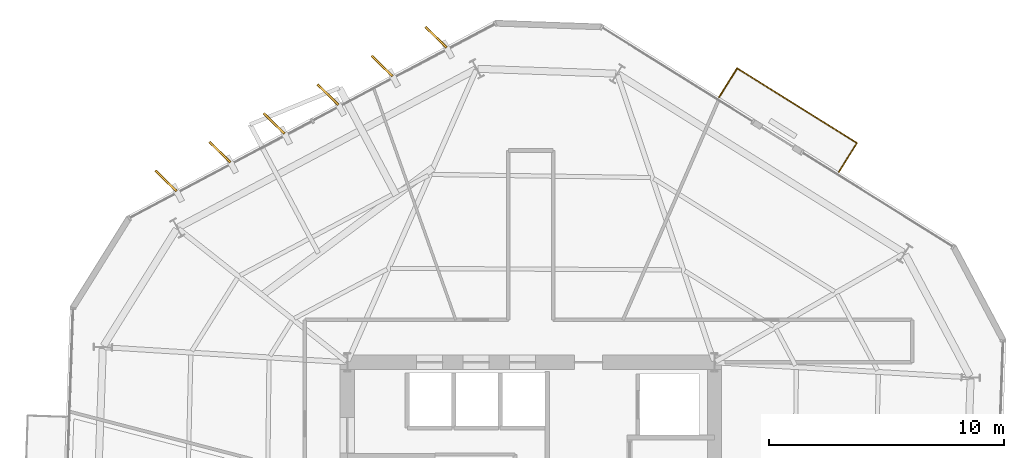
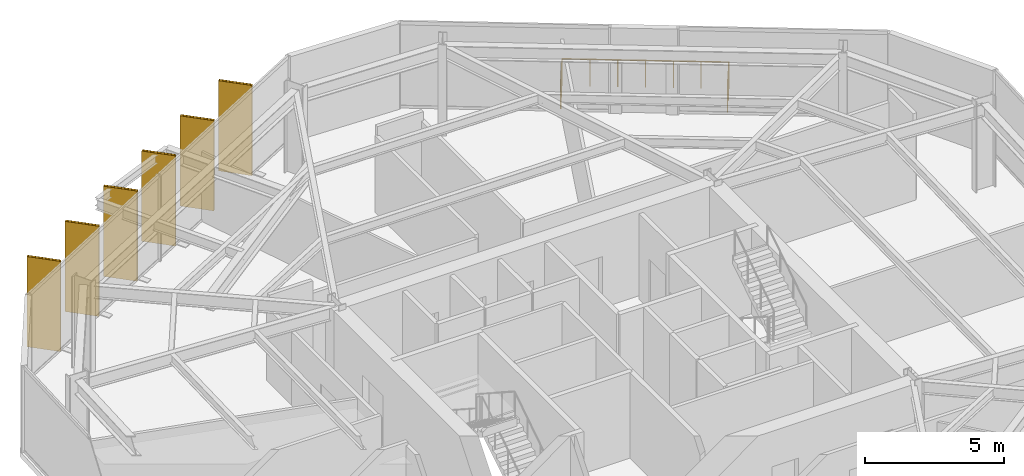
# One storey, part 12 of 12: 6 coverings, 6 shading devices, 1 railing.
"""IFC4 building model written with IfcOpenShell, lengths in metres."""

import ifcopenshell
import ifcopenshell.guid

model = None  # the IFC model being written
_history = None  # IfcOwnerHistory: only IFC2X3 demands one
_inside = {}  # id of a spatial element -> (the spatial element, [elements in it])
_under = {}  # id of a project, library or spatial element -> (it, [spatial elements below it])
_declared = {}  # id of a project -> (the project, [libraries it declares])
_typed = {}  # id of a type object -> (the type object, [elements of that type])
_made_of = {}  # id of a material, layer set ... -> (it, [elements and type objects made of it])


def new_model(schema):
    """Start an empty IFC model of exactly this schema.

    Asked for "IFC4X3", IfcOpenShell would pick the latest addendum, in which some entities
    have other attributes; the version numbers below select the first issue.
    IFC2X3 requires an IfcOwnerHistory on every rooted entity: one is made here for all.
    """
    global model, _history
    if schema == "IFC4X3":
        model = ifcopenshell.file(schema_version=(4, 3, 0, 0))
    else:
        model = ifcopenshell.file(schema=schema)
    _inside.clear()
    _under.clear()
    _declared.clear()
    _typed.clear()
    _made_of.clear()
    _history = None
    if model.schema == "IFC2X3":
        org = make("IfcOrganization", Name="unknown")
        user = make(
            "IfcPersonAndOrganization",
            ThePerson=make("IfcPerson", FamilyName="unknown"),
            TheOrganization=org,
        )
        app = make(
            "IfcApplication",
            ApplicationDeveloper=org,
            Version="unknown",
            ApplicationFullName="unknown",
            ApplicationIdentifier="unknown",
        )
        _history = make(
            "IfcOwnerHistory",
            OwningUser=user,
            OwningApplication=app,
            ChangeAction="ADDED",
            CreationDate=0,
        )
    return model


def make(cls, **values):
    """One entity of the class cls with the attributes given. An attribute that is None is left unset."""
    return model.create_entity(
        cls, **{name: value for name, value in values.items() if value is not None}
    )


def rooted(cls, **values):
    """An entity with a GlobalId (a new one), such as an element, a storey or a relation."""
    return make(cls, GlobalId=ifcopenshell.guid.new(), OwnerHistory=_history, **values)


def si_unit(unit_type, name, prefix=None):
    """IfcSIUnit, for example si_unit("LENGTHUNIT", "METRE", prefix="MILLI")."""
    return make("IfcSIUnit", UnitType=unit_type, Prefix=prefix, Name=name)


def assignment(units):
    """IfcUnitAssignment: the units of a project."""
    return None if units is None else make("IfcUnitAssignment", Units=units)


def point(xyz):
    """IfcCartesianPoint."""
    return None if xyz is None else make("IfcCartesianPoint", Coordinates=xyz)


def direction(xyz):
    """IfcDirection."""
    return None if xyz is None else make("IfcDirection", DirectionRatios=xyz)


def frame(location, z_axis=None, x_axis=None):
    """IfcAxis2Placement3D, a coordinate frame: its origin and axes. An axis left out is left unset."""
    return make(
        "IfcAxis2Placement3D",
        Location=point(location),
        Axis=direction(z_axis),
        RefDirection=direction(x_axis),
    )


def frame_2d(location, x_axis=None):
    """IfcAxis2Placement2D, a coordinate frame in the plane: its origin and x axis."""
    return make(
        "IfcAxis2Placement2D", Location=point(location), RefDirection=direction(x_axis)
    )


def origin():
    """The frame at (0, 0, 0) with its axes left unset."""
    return frame((0.0, 0.0, 0.0))


def origin_2d():
    """The frame at (0, 0) in the plane with its x axis left unset."""
    return frame_2d((0.0, 0.0))


def place(relative_to, where):
    """IfcLocalPlacement: puts the frame where relative to a parent placement (None: the world)."""
    return make(
        "IfcLocalPlacement", PlacementRelTo=relative_to, RelativePlacement=where
    )


def context(
    kind, dimensions, precision=None, world=None, true_north=None, identifier=None
):
    """IfcGeometricRepresentationContext, for example the 3D "Model" context."""
    return make(
        "IfcGeometricRepresentationContext",
        ContextIdentifier=identifier,
        ContextType=kind,
        CoordinateSpaceDimension=dimensions,
        Precision=precision,
        WorldCoordinateSystem=world,
        TrueNorth=true_north,
    )


def subcontext(parent, identifier, kind, view, scale=None):
    """IfcGeometricRepresentationSubContext, for example "Body" below "Model"."""
    return make(
        "IfcGeometricRepresentationSubContext",
        ContextIdentifier=identifier,
        ContextType=kind,
        ParentContext=parent,
        TargetScale=scale,
        TargetView=view,
    )


def project(units=None, contexts=None):
    """IfcProject with its units and contexts."""
    return rooted(
        "IfcProject",
        Name="project",
        RepresentationContexts=contexts,
        UnitsInContext=assignment(units),
    )


def spatial(cls, under=None, at=None, **own):
    """A site, building, storey or space (cls), placed at a placement, below another one or the project."""
    s = rooted(cls, ObjectPlacement=at, **own)
    if under is not None:
        _under.setdefault(under.id(), (under, []))[1].append(s)
    return s


def profile(cls, at=None, kind="AREA", **sizes):
    """A parametric profile (cls). Its sizes go by their IFC names, for example OverallWidth=200.0."""
    return make(cls, ProfileType=kind, Position=at, **sizes)


def rectangle(**sizes):
    """IfcRectangleProfileDef."""
    return profile("IfcRectangleProfileDef", **sizes)


def circle(**sizes):
    """IfcCircleProfileDef."""
    return profile("IfcCircleProfileDef", **sizes)


def extrude(swept, where, along, depth):
    """IfcExtrudedAreaSolid: the profile swept, set in the frame where, extruded along a direction by depth."""
    return make(
        "IfcExtrudedAreaSolid",
        SweptArea=swept,
        Position=where,
        ExtrudedDirection=direction(along),
        Depth=depth,
    )


def shape(context_of_items, identifier, shape_type, items):
    """IfcShapeRepresentation: the items that make up one representation, for example the "Body"."""
    return make(
        "IfcShapeRepresentation",
        ContextOfItems=context_of_items,
        RepresentationIdentifier=identifier,
        RepresentationType=shape_type,
        Items=items,
    )


def material(Name=None, Category=None):
    """IfcMaterial."""
    return make("IfcMaterial", Name=Name, Category=Category)


def layer(
    of_material, thickness, ventilated=None, Name=None, Category=None, Priority=None
):
    """IfcMaterialLayer: one layer of a wall or slab, of a material (None: an air gap)."""
    return make(
        "IfcMaterialLayer",
        Material=of_material,
        LayerThickness=thickness,
        IsVentilated=ventilated,
        Name=Name,
        Category=Category,
        Priority=Priority,
    )


def layer_set(layers, Name=None):
    """IfcMaterialLayerSet."""
    return make("IfcMaterialLayerSet", MaterialLayers=layers, LayerSetName=Name)


def made_of(thing, what):
    """Note that an element or type object is made of a material, layer set ...; save() writes the relation."""
    if what is not None:
        _made_of.setdefault(what.id(), (what, []))[1].append(thing)
    return thing


def type_object(cls, material=None, **own):
    """A type object (cls), such as IfcWallType, which elements share."""
    return made_of(rooted(cls, **own), material)


def element(
    cls,
    number,
    at=None,
    inside=None,
    cuts=None,
    type_object=None,
    material=None,
    context=None,
    identifier="Body",
    shape_type=None,
    held_by="IfcProductDefinitionShape",
    body=None,
    shapes=None,
    **own,
):
    """One element of the class cls, such as IfcWall. Its Tag is "e" and its number.

    at: its placement. inside: the storey or other place that contains it. cuts: it is an
    opening in that element (IfcRelVoidsElement). A single representation is given by context,
    identifier, shape_type and body (its items); several are given by shapes. held_by: the class
    of the entity that holds the representations. save() writes the other relations.
    """
    e = rooted(cls, Tag="e%d" % number, ObjectPlacement=at, **own)
    if body is not None:
        shapes = [shape(context, identifier, shape_type, body)]
    if shapes is not None:
        e.Representation = make(held_by, Representations=shapes)
    if inside is not None:
        _inside.setdefault(inside.id(), (inside, []))[1].append(e)
    if cuts is not None:
        rooted(
            "IfcRelVoidsElement", RelatingBuildingElement=cuts, RelatedOpeningElement=e
        )
    if type_object is not None:
        _typed.setdefault(type_object.id(), (type_object, []))[1].append(e)
    return made_of(e, material)


def aggregate(whole, parts):
    """IfcRelAggregates: a whole, such as a stair, and the parts it consists of."""
    return rooted("IfcRelAggregates", RelatingObject=whole, RelatedObjects=parts)


def save(model, path):
    """Write the relations noted so far, then the file.

    IfcRelAggregates (storeys below a building ...), IfcRelContainedInSpatialStructure (elements
    in a storey), IfcRelDefinesByType, IfcRelAssociatesMaterial and IfcRelDeclares: one each for
    every whole, place, type object, material and project.
    """
    for whole, parts in _under.values():
        aggregate(whole, parts)
    for where, things in _inside.values():
        rooted(
            "IfcRelContainedInSpatialStructure",
            RelatedElements=things,
            RelatingStructure=where,
        )
    for kind, things in _typed.values():
        rooted("IfcRelDefinesByType", RelatedObjects=things, RelatingType=kind)
    for what, things in _made_of.values():
        rooted("IfcRelAssociatesMaterial", RelatedObjects=things, RelatingMaterial=what)
    for by, libraries in _declared.values():
        rooted("IfcRelDeclares", RelatingContext=by, RelatedDefinitions=libraries)
    model.write(path)


model = new_model("IFC4")

# Units and contexts
model_context = context("Model", 3, precision=1e-05, world=origin(), true_north=direction((0.0, 1.0)))
body_context = subcontext(model_context, "Body", "Model", "MODEL_VIEW")
ifc_project = project(units=[si_unit("LENGTHUNIT", "METRE"), si_unit("AREAUNIT", "SQUARE_METRE"), si_unit("VOLUMEUNIT", "CUBIC_METRE"), si_unit("PLANEANGLEUNIT", "RADIAN"), si_unit("MASSUNIT", "GRAM", prefix="KILO")], contexts=[model_context])

# Site, building, storey
site_placement = place(None, origin())
site = spatial("IfcSite", under=ifc_project, at=site_placement, CompositionType="ELEMENT")
building_placement = place(site_placement, origin())
building = spatial("IfcBuilding", under=site, at=building_placement, Name="Kranzbogen Civic Tower", CompositionType="ELEMENT")
storey_placement = place(building_placement, frame((0.0, 0.0, 134.39990234375)))
storey = spatial("IfcBuildingStorey", under=building, at=storey_placement, Name="L32", CompositionType="ELEMENT", Elevation=134.39990234375)

# Coverings
ifc_material_1 = material(Name="Pale Anodised Aluminium", Category="aluminium")
ifc_layer = layer(ifc_material_1, 0.02490234375, Name="Pale Anodised Aluminium")
ifc_layer_set = layer_set([ifc_layer], Name="Pale Anodised Aluminium")
covering_type = type_object("IfcCoveringType", Name="Anodised Aluminium Vertical Fin Cladding 25 mm", PredefinedType="CLADDING", material=ifc_layer_set)
for number, where, z_axis, x_axis, name in (
    (1, (20.971923828125, 46.013916015625, -0.139892578125), (0.0, 0.0, 1.0), (-0.716338478666, 0.697752953403, 0.0), "L32 vertical fin pale-metal cladding F2-1"),
    (2, (18.677001953125, 44.79296875, -0.139892578125), (0.0, 0.0, 1.0), (-0.716338478666, 0.697752953403, 0.0), "L32 vertical fin pale-metal cladding F2-2"),
    (3, (16.381103515625, 43.572998046875, -0.139892578125), (0.0, 0.0, 1.0), (-0.716338478666, 0.697752953403, 0.0), "L32 vertical fin pale-metal cladding F2-3"),
    (4, (14.0849609375, 42.35205078125, -0.139892578125), (0.0, 0.0, 1.0), (-0.716338478666, 0.697752953403, 0.0), "L32 vertical fin pale-metal cladding F2-4"),
    (5, (11.7900390625, 41.131103515625, -0.139892578125), (0.0, 0.0, 1.0), (-0.716338478666, 0.697752953403, 0.0), "L32 vertical fin pale-metal cladding F2-5"),
    (6, (9.493896484375, 39.910888671875, -0.139892578125), (0.0, 0.0, 1.0), (-0.716338478666, 0.697752953403, 0.0), "L32 vertical fin pale-metal cladding F2-6"),
):
    element("IfcCovering", number, at=place(storey_placement, frame(where, z_axis=z_axis, x_axis=x_axis)), inside=storey, type_object=covering_type, Name=name, PredefinedType="CLADDING", context=body_context, shape_type="SweptSolid", body=[
        extrude(rectangle(XDim=1.25, YDim=0.10009765625, at=origin_2d()), origin(), (0.0, 0.0, 1.0), 3.9599609375),
    ])

# Shading devices
ifc_material_2 = material(Name="Anodised Bronze Aluminium", Category="aluminium")
shading_device_type = type_object("IfcShadingDeviceType", Name="Anodised Bronze Vertical Facade Fin 1250x80", PredefinedType="USERDEFINED", material=ifc_material_2)
for number, where, z_axis, x_axis, name in (
    (7, (20.971923828125, 46.013916015625, -0.139892578125), (0.0, 0.0, 1.0), (-0.716338478666, 0.697752953403, 0.0), "L32 vertical exterior shading fin F2-1"),
    (8, (18.677001953125, 44.79296875, -0.139892578125), (0.0, 0.0, 1.0), (-0.716338478666, 0.697752953403, 0.0), "L32 vertical exterior shading fin F2-2"),
    (9, (16.381103515625, 43.572998046875, -0.139892578125), (0.0, 0.0, 1.0), (-0.716338478666, 0.697752953403, 0.0), "L32 vertical exterior shading fin F2-3"),
    (10, (14.0849609375, 42.35205078125, -0.139892578125), (0.0, 0.0, 1.0), (-0.716338478666, 0.697752953403, 0.0), "L32 vertical exterior shading fin F2-4"),
    (11, (11.7900390625, 41.131103515625, -0.139892578125), (0.0, 0.0, 1.0), (-0.716338478666, 0.697752953403, 0.0), "L32 vertical exterior shading fin F2-5"),
    (12, (9.493896484375, 39.910888671875, -0.139892578125), (0.0, 0.0, 1.0), (-0.716338478666, 0.697752953403, 0.0), "L32 vertical exterior shading fin F2-6"),
):
    element("IfcShadingDevice", number, at=place(storey_placement, frame(where, z_axis=z_axis, x_axis=x_axis)), inside=storey, type_object=shading_device_type, Name=name, ObjectType="FIN", PredefinedType="USERDEFINED", context=body_context, shape_type="SweptSolid", body=[
        extrude(rectangle(XDim=1.25, YDim=0.080078125, at=origin_2d()), origin(), (0.0, 0.0, 1.0), 3.9599609375),
    ])

# Railing
railing_type = type_object("IfcRailingType", Name="Cantilevered Balcony Glass and Bronze Balustrade 1200", PredefinedType="BALUSTRADE", material=ifc_material_2)
railing_placement = place(storey_placement, frame((38.090087890625, 40.285888671875, 0.0)))
element("IfcRailing", 13, at=railing_placement, inside=storey, type_object=railing_type, Name="L32 exterior terrace balustrade L32-TB1", PredefinedType="BALUSTRADE", context=body_context, shape_type="SweptSolid", body=[
    extrude(circle(Radius=0.02392578125, at=origin_2d()), frame((0.0, 0.0, 1.17578125), z_axis=(0.529469187734, 0.848329169155, 0.0), x_axis=(-0.848329169155, 0.529469187734, 0.0)), (0.0, 0.0, 1.0), 1.4501953125),
    extrude(circle(Radius=0.02392578125, at=origin_2d()), frame((0.767822265625, 1.230224609375, 1.17578125), z_axis=(-0.848044014651, 0.529925795952, 0.0), x_axis=(-0.529925795952, -0.848044014651, 0.0)), (0.0, 0.0, 1.0), 6.000732421875),
    extrude(circle(Radius=0.02392578125, at=origin_2d()), frame((-4.321044921875, 4.41015625, 1.17578125), z_axis=(-0.529665959131, -0.84820632616, 0.0), x_axis=(0.84820632616, -0.529665959131, 0.0)), (0.0, 0.0, 1.0), 1.4501953125),
    extrude(circle(Radius=0.02099609375, at=origin_2d()), origin(), (0.0, 0.0, 1.0), 1.15185546875),
    extrude(circle(Radius=0.02099609375, at=origin_2d()), frame((0.3837890625, 0.615234375, 0.0)), (0.0, 0.0, 1.0), 1.15185546875),
    extrude(circle(Radius=0.02099609375, at=origin_2d()), frame((0.767822265625, 1.230224609375, 0.0)), (0.0, 0.0, 1.0), 1.15185546875),
    extrude(circle(Radius=0.02099609375, at=origin_2d()), frame((-0.080322265625, 1.76025390625, 0.0)), (0.0, 0.0, 1.0), 1.15185546875),
    extrude(circle(Radius=0.02099609375, at=origin_2d()), frame((-0.928466796875, 2.290283203125, 0.0)), (0.0, 0.0, 1.0), 1.15185546875),
    extrude(circle(Radius=0.02099609375, at=origin_2d()), frame((-1.776611328125, 2.8203125, 0.0)), (0.0, 0.0, 1.0), 1.15185546875),
    extrude(circle(Radius=0.02099609375, at=origin_2d()), frame((-2.624755859375, 3.35009765625, 0.0)), (0.0, 0.0, 1.0), 1.15185546875),
    extrude(circle(Radius=0.02099609375, at=origin_2d()), frame((-3.472900390625, 3.880126953125, 0.0)), (0.0, 0.0, 1.0), 1.15185546875),
    extrude(circle(Radius=0.02099609375, at=origin_2d()), frame((-4.321044921875, 4.41015625, 0.0)), (0.0, 0.0, 1.0), 1.15185546875),
    extrude(circle(Radius=0.02099609375, at=origin_2d()), frame((-4.705078125, 3.795166015625, 0.0)), (0.0, 0.0, 1.0), 1.15185546875),
    extrude(circle(Radius=0.02099609375, at=origin_2d()), frame((-5.089111328125, 3.18017578125, 0.0)), (0.0, 0.0, 1.0), 1.15185546875),
])

save(model, "model.ifc")
